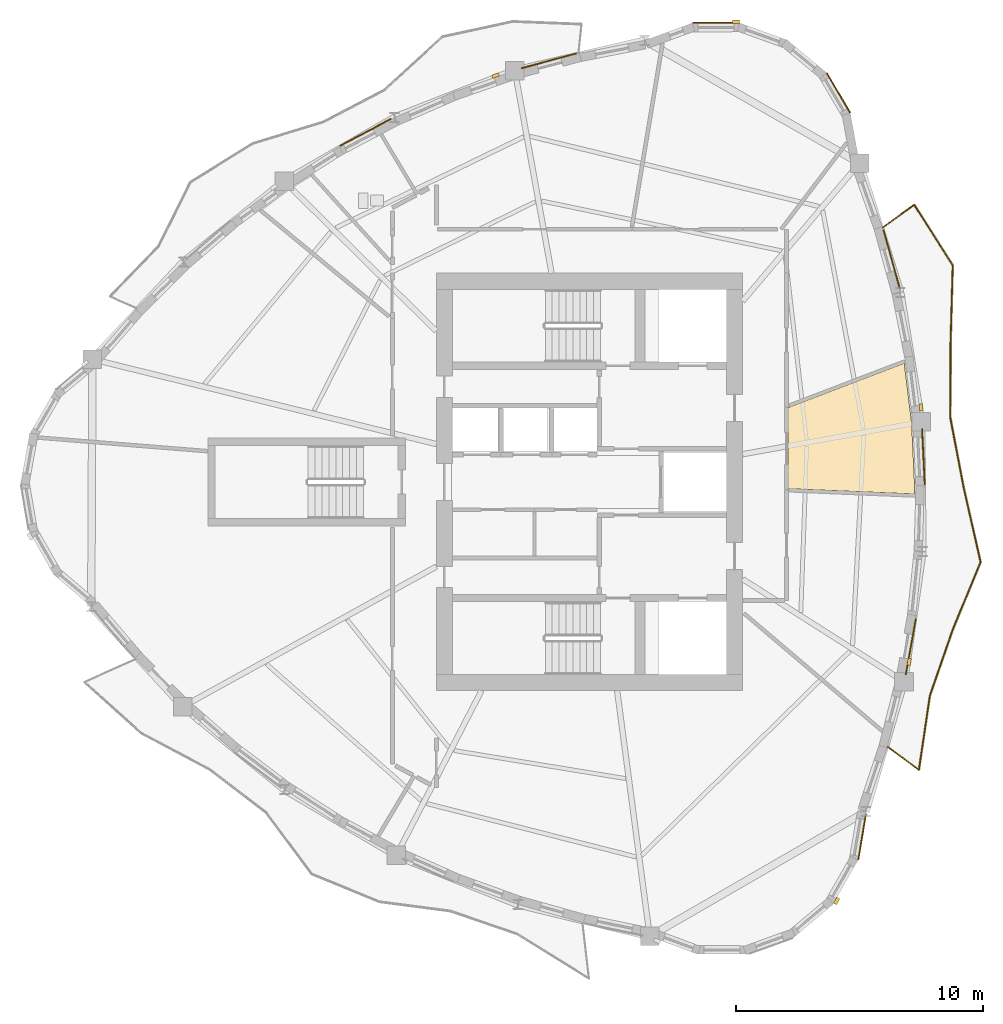
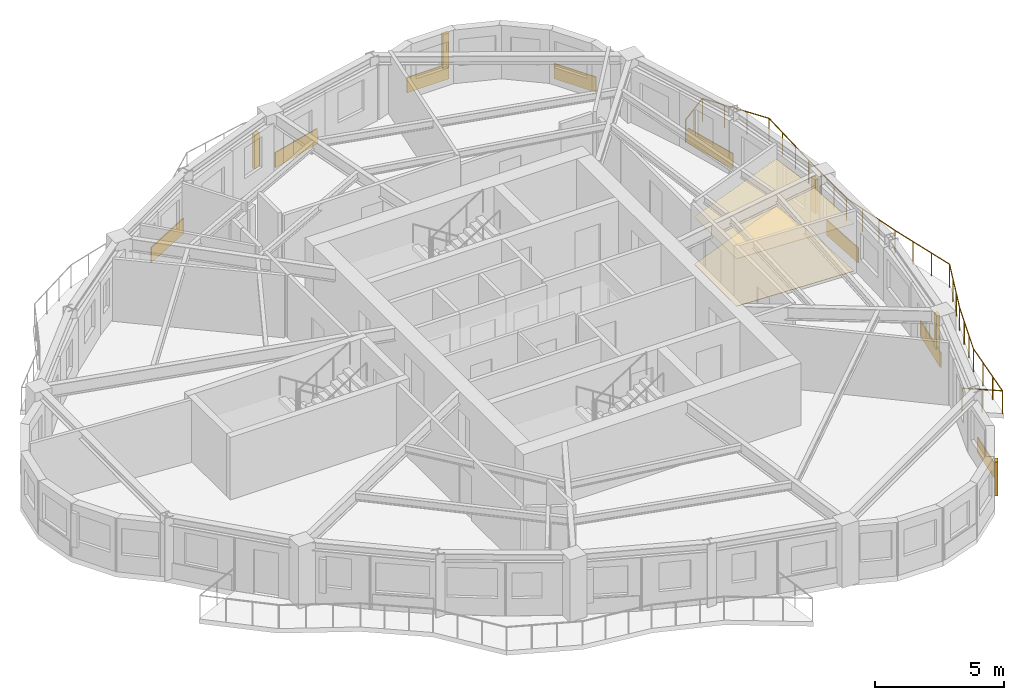
# One storey, part 10 of 11: 10 coverings, 5 shading devices, 1 railing.
"""IFC4 building model written with IfcOpenShell, lengths in metres."""

import ifcopenshell
import ifcopenshell.guid

model = None  # the IFC model being written
_history = None  # IfcOwnerHistory: only IFC2X3 demands one
_inside = {}  # id of a spatial element -> (the spatial element, [elements in it])
_under = {}  # id of a project, library or spatial element -> (it, [spatial elements below it])
_declared = {}  # id of a project -> (the project, [libraries it declares])
_typed = {}  # id of a type object -> (the type object, [elements of that type])
_made_of = {}  # id of a material, layer set ... -> (it, [elements and type objects made of it])


def new_model(schema):
    """Start an empty IFC model of exactly this schema.

    Asked for "IFC4X3", IfcOpenShell would pick the latest addendum, in which some entities
    have other attributes; the version numbers below select the first issue.
    IFC2X3 requires an IfcOwnerHistory on every rooted entity: one is made here for all.
    """
    global model, _history
    if schema == "IFC4X3":
        model = ifcopenshell.file(schema_version=(4, 3, 0, 0))
    else:
        model = ifcopenshell.file(schema=schema)
    _inside.clear()
    _under.clear()
    _declared.clear()
    _typed.clear()
    _made_of.clear()
    _history = None
    if model.schema == "IFC2X3":
        org = make("IfcOrganization", Name="unknown")
        user = make(
            "IfcPersonAndOrganization",
            ThePerson=make("IfcPerson", FamilyName="unknown"),
            TheOrganization=org,
        )
        app = make(
            "IfcApplication",
            ApplicationDeveloper=org,
            Version="unknown",
            ApplicationFullName="unknown",
            ApplicationIdentifier="unknown",
        )
        _history = make(
            "IfcOwnerHistory",
            OwningUser=user,
            OwningApplication=app,
            ChangeAction="ADDED",
            CreationDate=0,
        )
    return model


def make(cls, **values):
    """One entity of the class cls with the attributes given. An attribute that is None is left unset."""
    return model.create_entity(
        cls, **{name: value for name, value in values.items() if value is not None}
    )


def rooted(cls, **values):
    """An entity with a GlobalId (a new one), such as an element, a storey or a relation."""
    return make(cls, GlobalId=ifcopenshell.guid.new(), OwnerHistory=_history, **values)


def si_unit(unit_type, name, prefix=None):
    """IfcSIUnit, for example si_unit("LENGTHUNIT", "METRE", prefix="MILLI")."""
    return make("IfcSIUnit", UnitType=unit_type, Prefix=prefix, Name=name)


def assignment(units):
    """IfcUnitAssignment: the units of a project."""
    return None if units is None else make("IfcUnitAssignment", Units=units)


def point(xyz):
    """IfcCartesianPoint."""
    return None if xyz is None else make("IfcCartesianPoint", Coordinates=xyz)


def direction(xyz):
    """IfcDirection."""
    return None if xyz is None else make("IfcDirection", DirectionRatios=xyz)


def frame(location, z_axis=None, x_axis=None):
    """IfcAxis2Placement3D, a coordinate frame: its origin and axes. An axis left out is left unset."""
    return make(
        "IfcAxis2Placement3D",
        Location=point(location),
        Axis=direction(z_axis),
        RefDirection=direction(x_axis),
    )


def frame_2d(location, x_axis=None):
    """IfcAxis2Placement2D, a coordinate frame in the plane: its origin and x axis."""
    return make(
        "IfcAxis2Placement2D", Location=point(location), RefDirection=direction(x_axis)
    )


def origin():
    """The frame at (0, 0, 0) with its axes left unset."""
    return frame((0.0, 0.0, 0.0))


def origin_2d():
    """The frame at (0, 0) in the plane with its x axis left unset."""
    return frame_2d((0.0, 0.0))


def place(relative_to, where):
    """IfcLocalPlacement: puts the frame where relative to a parent placement (None: the world)."""
    return make(
        "IfcLocalPlacement", PlacementRelTo=relative_to, RelativePlacement=where
    )


def context(
    kind, dimensions, precision=None, world=None, true_north=None, identifier=None
):
    """IfcGeometricRepresentationContext, for example the 3D "Model" context."""
    return make(
        "IfcGeometricRepresentationContext",
        ContextIdentifier=identifier,
        ContextType=kind,
        CoordinateSpaceDimension=dimensions,
        Precision=precision,
        WorldCoordinateSystem=world,
        TrueNorth=true_north,
    )


def subcontext(parent, identifier, kind, view, scale=None):
    """IfcGeometricRepresentationSubContext, for example "Body" below "Model"."""
    return make(
        "IfcGeometricRepresentationSubContext",
        ContextIdentifier=identifier,
        ContextType=kind,
        ParentContext=parent,
        TargetScale=scale,
        TargetView=view,
    )


def project(units=None, contexts=None):
    """IfcProject with its units and contexts."""
    return rooted(
        "IfcProject",
        Name="project",
        RepresentationContexts=contexts,
        UnitsInContext=assignment(units),
    )


def spatial(cls, under=None, at=None, **own):
    """A site, building, storey or space (cls), placed at a placement, below another one or the project."""
    s = rooted(cls, ObjectPlacement=at, **own)
    if under is not None:
        _under.setdefault(under.id(), (under, []))[1].append(s)
    return s


def polyline(points):
    """IfcPolyline through the points."""
    return make("IfcPolyline", Points=[point(p) for p in points])


def profile(cls, at=None, kind="AREA", **sizes):
    """A parametric profile (cls). Its sizes go by their IFC names, for example OverallWidth=200.0."""
    return make(cls, ProfileType=kind, Position=at, **sizes)


def rectangle(**sizes):
    """IfcRectangleProfileDef."""
    return profile("IfcRectangleProfileDef", **sizes)


def circle(**sizes):
    """IfcCircleProfileDef."""
    return profile("IfcCircleProfileDef", **sizes)


def outline(outer, holes=None, kind="AREA"):
    """IfcArbitraryClosedProfileDef: a profile drawn as a closed curve; with holes, ...WithVoids."""
    if holes is None:
        return make("IfcArbitraryClosedProfileDef", ProfileType=kind, OuterCurve=outer)
    return make(
        "IfcArbitraryProfileDefWithVoids",
        ProfileType=kind,
        OuterCurve=outer,
        InnerCurves=holes,
    )


def extrude(swept, where, along, depth):
    """IfcExtrudedAreaSolid: the profile swept, set in the frame where, extruded along a direction by depth."""
    return make(
        "IfcExtrudedAreaSolid",
        SweptArea=swept,
        Position=where,
        ExtrudedDirection=direction(along),
        Depth=depth,
    )


def shape(context_of_items, identifier, shape_type, items):
    """IfcShapeRepresentation: the items that make up one representation, for example the "Body"."""
    return make(
        "IfcShapeRepresentation",
        ContextOfItems=context_of_items,
        RepresentationIdentifier=identifier,
        RepresentationType=shape_type,
        Items=items,
    )


def source(mapping_origin, context_of_items, identifier, shape_type, items):
    """IfcRepresentationMap: a shape defined once, which mapped items show again and again."""
    return make(
        "IfcRepresentationMap",
        MappingOrigin=mapping_origin,
        MappedRepresentation=shape(context_of_items, identifier, shape_type, items),
    )


def transform(
    local_origin,
    x_axis=None,
    y_axis=None,
    z_axis=None,
    scale=None,
    scale2=None,
    scale3=None,
    uniform=True,
):
    """IfcCartesianTransformationOperator3D, or its non-uniform kind. x_axis, y_axis, z_axis: its Axis1, 2, 3."""
    if uniform:
        return make(
            "IfcCartesianTransformationOperator3D",
            Axis1=direction(x_axis),
            Axis2=direction(y_axis),
            LocalOrigin=point(local_origin),
            Scale=scale,
            Axis3=direction(z_axis),
        )
    return make(
        "IfcCartesianTransformationOperator3DnonUniform",
        Axis1=direction(x_axis),
        Axis2=direction(y_axis),
        LocalOrigin=point(local_origin),
        Scale=scale,
        Axis3=direction(z_axis),
        Scale2=scale2,
        Scale3=scale3,
    )


def mapped(mapping_source, mapping_target):
    """IfcMappedItem: shows the shape of a source again, moved by a transform."""
    return make(
        "IfcMappedItem", MappingSource=mapping_source, MappingTarget=mapping_target
    )


def material(Name=None, Category=None):
    """IfcMaterial."""
    return make("IfcMaterial", Name=Name, Category=Category)


def layer(
    of_material, thickness, ventilated=None, Name=None, Category=None, Priority=None
):
    """IfcMaterialLayer: one layer of a wall or slab, of a material (None: an air gap)."""
    return make(
        "IfcMaterialLayer",
        Material=of_material,
        LayerThickness=thickness,
        IsVentilated=ventilated,
        Name=Name,
        Category=Category,
        Priority=Priority,
    )


def layer_set(layers, Name=None):
    """IfcMaterialLayerSet."""
    return make("IfcMaterialLayerSet", MaterialLayers=layers, LayerSetName=Name)


def made_of(thing, what):
    """Note that an element or type object is made of a material, layer set ...; save() writes the relation."""
    if what is not None:
        _made_of.setdefault(what.id(), (what, []))[1].append(thing)
    return thing


def type_object(cls, material=None, **own):
    """A type object (cls), such as IfcWallType, which elements share."""
    return made_of(rooted(cls, **own), material)


def element(
    cls,
    number,
    at=None,
    inside=None,
    cuts=None,
    type_object=None,
    material=None,
    context=None,
    identifier="Body",
    shape_type=None,
    held_by="IfcProductDefinitionShape",
    body=None,
    shapes=None,
    **own,
):
    """One element of the class cls, such as IfcWall. Its Tag is "e" and its number.

    at: its placement. inside: the storey or other place that contains it. cuts: it is an
    opening in that element (IfcRelVoidsElement). A single representation is given by context,
    identifier, shape_type and body (its items); several are given by shapes. held_by: the class
    of the entity that holds the representations. save() writes the other relations.
    """
    e = rooted(cls, Tag="e%d" % number, ObjectPlacement=at, **own)
    if body is not None:
        shapes = [shape(context, identifier, shape_type, body)]
    if shapes is not None:
        e.Representation = make(held_by, Representations=shapes)
    if inside is not None:
        _inside.setdefault(inside.id(), (inside, []))[1].append(e)
    if cuts is not None:
        rooted(
            "IfcRelVoidsElement", RelatingBuildingElement=cuts, RelatedOpeningElement=e
        )
    if type_object is not None:
        _typed.setdefault(type_object.id(), (type_object, []))[1].append(e)
    return made_of(e, material)


def aggregate(whole, parts):
    """IfcRelAggregates: a whole, such as a stair, and the parts it consists of."""
    return rooted("IfcRelAggregates", RelatingObject=whole, RelatedObjects=parts)


def save(model, path):
    """Write the relations noted so far, then the file.

    IfcRelAggregates (storeys below a building ...), IfcRelContainedInSpatialStructure (elements
    in a storey), IfcRelDefinesByType, IfcRelAssociatesMaterial and IfcRelDeclares: one each for
    every whole, place, type object, material and project.
    """
    for whole, parts in _under.values():
        aggregate(whole, parts)
    for where, things in _inside.values():
        rooted(
            "IfcRelContainedInSpatialStructure",
            RelatedElements=things,
            RelatingStructure=where,
        )
    for kind, things in _typed.values():
        rooted("IfcRelDefinesByType", RelatedObjects=things, RelatingType=kind)
    for what, things in _made_of.values():
        rooted("IfcRelAssociatesMaterial", RelatedObjects=things, RelatingMaterial=what)
    for by, libraries in _declared.values():
        rooted("IfcRelDeclares", RelatingContext=by, RelatedDefinitions=libraries)
    model.write(path)


model = new_model("IFC4")

# Units and contexts
model_context = context("Model", 3, precision=1e-05, world=origin(), true_north=direction((0.0, 1.0)))
body_context = subcontext(model_context, "Body", "Model", "MODEL_VIEW")
ifc_project = project(units=[si_unit("LENGTHUNIT", "METRE"), si_unit("AREAUNIT", "SQUARE_METRE"), si_unit("VOLUMEUNIT", "CUBIC_METRE"), si_unit("PLANEANGLEUNIT", "RADIAN"), si_unit("MASSUNIT", "GRAM", prefix="KILO")], contexts=[model_context])

# Site, building, storey
site_placement = place(None, origin())
site = spatial("IfcSite", under=ifc_project, at=site_placement, CompositionType="ELEMENT")
building_placement = place(site_placement, origin())
building = spatial("IfcBuilding", under=site, at=building_placement, Name="Qafzar Sky-Pleat Residences", CompositionType="ELEMENT")
storey_placement = place(building_placement, frame((0.0, 0.0, 165.0)))
storey = spatial("IfcBuildingStorey", under=building, at=storey_placement, Name="L49", CompositionType="ELEMENT", Elevation=165.0)

# Coverings
ifc_material_1 = material(Name="Perforated acoustic gypsum board ceiling")
ifc_layer_1 = layer(ifc_material_1, 0.02001953125)
ifc_layer_set_1 = layer_set([ifc_layer_1], Name="Perforated acoustic gypsum board ceiling")
covering_type_1 = type_object("IfcCoveringType", Name="COV-CEIL-ACOUSTIC", PredefinedType="CEILING", material=ifc_layer_set_1)
covering_1_placement = place(storey_placement, frame((0.0, 0.0, 2.239990234375)))
element("IfcCovering", 1, at=covering_1_placement, inside=storey, type_object=covering_type_1, Name="L49 Co-Living Lounge Acoustic Ceiling", PredefinedType="CEILING", context=body_context, shape_type="SweptSolid", body=[
    extrude(outline(polyline([(43.39111328125, 28.3955078125), (43.514892578125, 25.800537109375), (43.506591796875, 25.512451171875), (38.389892578125, 25.7255859375), (38.389892578125, 29.00830078125), (43.092529296875, 30.805419921875), (43.39111328125, 28.3955078125)])), origin(), (0.0, 0.0, 1.0), 0.02001953125),
])
ifc_material_2 = material(Name="Honed porcelain and Riyadh stone tile flooring", Category="masonry")
ifc_layer_2 = layer(ifc_material_2, 0.02001953125)
ifc_layer_set_2 = layer_set([ifc_layer_2], Name="Honed porcelain and Riyadh stone tile flooring")
covering_type_2 = type_object("IfcCoveringType", Name="COV-FLR-PORCELAIN", PredefinedType="FLOORING", material=ifc_layer_set_2)
covering_2_placement = place(storey_placement, origin())
element("IfcCovering", 2, at=covering_2_placement, inside=storey, type_object=covering_type_2, Name="L49 Co-Living Lounge Honed Stone Flooring", PredefinedType="FLOORING", context=body_context, shape_type="SweptSolid", body=[
    extrude(outline(polyline([(43.39111328125, 28.3955078125), (43.514892578125, 25.800537109375), (43.506591796875, 25.512451171875), (38.389892578125, 25.7255859375), (38.389892578125, 29.00830078125), (43.092529296875, 30.805419921875), (43.39111328125, 28.3955078125)])), origin(), (0.0, 0.0, 1.0), 0.02001953125),
])

# Shading devices
ifc_material_3 = material(Name="Honed Riyadh limestone solar fin", Category="masonry")
ifc_layer_3 = layer(ifc_material_3, 0.139892578125)
ifc_layer_set_3 = layer_set([ifc_layer_3], Name="Honed Riyadh limestone solar fin")
shading_device_type = type_object("IfcShadingDeviceType", Name="SHD-FIN-STONE", PredefinedType="SHUTTER", material=ifc_layer_set_3)
shared_shape_1 = source(origin(), body_context, "Body", "SweptSolid", [
    extrude(rectangle(XDim=0.139892578125, YDim=0.280029296875, at=origin_2d()), origin(), (0.0, 0.0, 1.0), 1.60009765625),
])
for number, where, z_axis, x_axis, name in (
    (3, (40.3544921875, 9.034423828125, 0.599853515625), (0.0, 0.0, 1.0), (0.86842169793, -0.495826335086, 0.0), "L49 Limestone Solar Fin 21"),
    (4, (43.293212890625, 18.7177734375, 0.599853515625), (0.0, 0.0, 1.0), (0.9841868466, -0.177133427054, 0.0), "L49 Limestone Solar Fin 25"),
    (5, (43.771484375, 29.024658203125, 0.599853515625), (0.0, 0.0, 1.0), (0.992422165259, 0.122874919748, 0.0), "L49 Limestone Solar Fin 29"),
    (6, (36.27490234375, 44.630859375, 0.599853515625), (0.0, 0.0, 1.0), (-0.002393888715, 0.999997134644, 0.0), "L49 Limestone Solar Fin 37"),
    (7, (26.55126953125, 42.44970703125, 0.599853515625), (0.0, 0.0, 1.0), (-0.329555216315, 0.944136303401, 0.0), "L49 Limestone Solar Fin 41"),
):
    element("IfcShadingDevice", number, at=place(storey_placement, frame(where, z_axis=z_axis, x_axis=x_axis)), inside=storey, type_object=shading_device_type, Name=name, PredefinedType="SHUTTER", context=body_context, shape_type="MappedRepresentation", body=[
        mapped(shared_shape_1, transform((0.0, 0.0, 0.0), x_axis=(1.0, 0.0, 0.0), y_axis=(0.0, 1.0, 0.0), z_axis=(0.0, 0.0, 1.0), scale=1.0)),
    ])

# Coverings
ifc_material_4 = material(Name="Honed Riyadh Tuwaiq limestone cladding", Category="masonry")
ifc_layer_4 = layer(ifc_material_4, 0.044921875)
ifc_layer_set_4 = layer_set([ifc_layer_4], Name="Honed Riyadh Tuwaiq limestone cladding")
covering_type_3 = type_object("IfcCoveringType", Name="COV-CLAD-STONE", PredefinedType="CLADDING", material=ifc_layer_set_4)
shared_shape_2 = source(origin(), body_context, "Body", "SweptSolid", [
    extrude(rectangle(XDim=1.873046875, YDim=0.044921875, at=origin_2d()), origin(), (0.0, 0.0, 1.0), 0.719970703125),
])
covering_3_placement = place(storey_placement, frame((35.47021484375, 44.5859375, 0.02001953125), z_axis=(0.0, 0.0, 1.0), x_axis=(-0.999997113828, -0.002402568631, 0.0)))
element("IfcCovering", 8, at=covering_3_placement, inside=storey, type_object=covering_type_3, Name="L49 Riyadh Limestone Spandrel Cladding 37", PredefinedType="CLADDING", context=body_context, shape_type="MappedRepresentation", body=[
    mapped(shared_shape_2, transform((0.0, 0.0, 0.0), x_axis=(1.0, 0.0, 0.0), y_axis=(0.0, 1.0, 0.0), z_axis=(0.0, 0.0, 1.0), scale=1.0)),
])
shared_shape_3 = source(origin(), body_context, "Body", "SweptSolid", [
    extrude(rectangle(XDim=2.298828125, YDim=0.044921875, at=origin_2d()), origin(), (0.0, 0.0, 1.0), 0.719970703125),
])
covering_4_placement = place(storey_placement, frame((28.705078125, 43.04638671875, 0.02001953125), z_axis=(0.0, 0.0, 1.0), x_axis=(-0.965460603463, -0.260549080139, 0.0)))
element("IfcCovering", 9, at=covering_4_placement, inside=storey, type_object=covering_type_3, Name="L49 Riyadh Limestone Spandrel Cladding 40", PredefinedType="CLADDING", context=body_context, shape_type="MappedRepresentation", body=[
    mapped(shared_shape_3, transform((0.0, 0.0, 0.0), x_axis=(1.0, 0.0, 0.0), y_axis=(0.0, 1.0, 0.0), z_axis=(0.0, 0.0, 1.0), scale=1.0)),
])
shared_shape_4 = source(origin(), body_context, "Body", "SweptSolid", [
    extrude(rectangle(XDim=1.845703125, YDim=0.044921875, at=origin_2d()), origin(), (0.0, 0.0, 1.0), 0.719970703125),
])
covering_5_placement = place(storey_placement, frame((41.386474609375, 11.618408203125, 0.02001953125), z_axis=(0.0, 0.0, 1.0), x_axis=(0.165648245081, 0.98618490097, 0.0)))
element("IfcCovering", 10, at=covering_5_placement, inside=storey, type_object=covering_type_3, Name="L49 Riyadh Limestone Spandrel Cladding 22", PredefinedType="CLADDING", context=body_context, shape_type="MappedRepresentation", body=[
    mapped(shared_shape_4, transform((0.0, 0.0, 0.0), x_axis=(1.0, 0.0, 0.0), y_axis=(0.0, 1.0, 0.0), z_axis=(0.0, 0.0, 1.0), scale=1.0)),
])
shared_shape_5 = source(origin(), body_context, "Body", "SweptSolid", [
    extrude(rectangle(XDim=2.300048828125, YDim=0.044921875, at=origin_2d()), origin(), (0.0, 0.0, 1.0), 0.719970703125),
])
covering_6_placement = place(storey_placement, frame((43.35888671875, 19.32568359375, 0.02001953125), z_axis=(0.0, 0.0, 1.0), x_axis=(0.177146175774, 0.984184552007, 0.0)))
element("IfcCovering", 11, at=covering_6_placement, inside=storey, type_object=covering_type_3, Name="L49 Riyadh Limestone Spandrel Cladding 25", PredefinedType="CLADDING", context=body_context, shape_type="MappedRepresentation", body=[
    mapped(shared_shape_5, transform((0.0, 0.0, 0.0), x_axis=(1.0, 0.0, 0.0), y_axis=(0.0, 1.0, 0.0), z_axis=(0.0, 0.0, 1.0), scale=1.0)),
])
shared_shape_6 = source(origin(), body_context, "Body", "SweptSolid", [
    extrude(rectangle(XDim=2.259521484375, YDim=0.044921875, at=origin_2d()), origin(), (0.0, 0.0, 1.0), 0.719970703125),
])
covering_7_placement = place(storey_placement, frame((43.868896484375, 27.021240234375, 0.02001953125), z_axis=(0.0, 0.0, 1.0), x_axis=(-0.04763895546, 0.998864620418, 0.0)))
element("IfcCovering", 12, at=covering_7_placement, inside=storey, type_object=covering_type_3, Name="L49 Riyadh Limestone Spandrel Cladding 28", PredefinedType="CLADDING", context=body_context, shape_type="MappedRepresentation", body=[
    mapped(shared_shape_6, transform((0.0, 0.0, 0.0), x_axis=(1.0, 0.0, 0.0), y_axis=(0.0, 1.0, 0.0), z_axis=(0.0, 0.0, 1.0), scale=1.0)),
])
shared_shape_7 = source(origin(), body_context, "Body", "SweptSolid", [
    extrude(rectangle(XDim=2.46142578125, YDim=0.044921875, at=origin_2d()), origin(), (0.0, 0.0, 1.0), 0.719970703125),
])
covering_8_placement = place(storey_placement, frame((42.58251953125, 35.01513671875, 0.02001953125), z_axis=(0.0, 0.0, 1.0), x_axis=(-0.266414049308, 0.963858679647, 0.0)))
element("IfcCovering", 13, at=covering_8_placement, inside=storey, type_object=covering_type_3, Name="L49 Riyadh Limestone Spandrel Cladding 31", PredefinedType="CLADDING", context=body_context, shape_type="MappedRepresentation", body=[
    mapped(shared_shape_7, transform((0.0, 0.0, 0.0), x_axis=(1.0, 0.0, 0.0), y_axis=(0.0, 1.0, 0.0), z_axis=(0.0, 0.0, 1.0), scale=1.0)),
])
shared_shape_8 = source(origin(), body_context, "Body", "SweptSolid", [
    extrude(rectangle(XDim=1.872802734375, YDim=0.044921875, at=origin_2d()), origin(), (0.0, 0.0, 1.0), 0.719970703125),
])
covering_9_placement = place(storey_placement, frame((40.429443359375, 41.754638671875, 0.02001953125), z_axis=(0.0, 0.0, 1.0), x_axis=(-0.506253402347, 0.862384770629, 0.0)))
element("IfcCovering", 14, at=covering_9_placement, inside=storey, type_object=covering_type_3, Name="L49 Riyadh Limestone Spandrel Cladding 34", PredefinedType="CLADDING", context=body_context, shape_type="MappedRepresentation", body=[
    mapped(shared_shape_8, transform((0.0, 0.0, 0.0), x_axis=(1.0, 0.0, 0.0), y_axis=(0.0, 1.0, 0.0), z_axis=(0.0, 0.0, 1.0), scale=1.0)),
])
shared_shape_9 = source(origin(), body_context, "Body", "SweptSolid", [
    extrude(rectangle(XDim=2.341064453125, YDim=0.044921875, at=origin_2d()), origin(), (0.0, 0.0, 1.0), 0.719970703125),
])
covering_10_placement = place(storey_placement, frame((21.28662109375, 40.1533203125, 0.02001953125), z_axis=(0.0, 0.0, 1.0), x_axis=(-0.884401502597, -0.466726881811, 0.0)))
element("IfcCovering", 15, at=covering_10_placement, inside=storey, type_object=covering_type_3, Name="L49 Riyadh Limestone Spandrel Cladding 43", PredefinedType="CLADDING", context=body_context, shape_type="MappedRepresentation", body=[
    mapped(shared_shape_9, transform((0.0, 0.0, 0.0), x_axis=(1.0, 0.0, 0.0), y_axis=(0.0, 1.0, 0.0), z_axis=(0.0, 0.0, 1.0), scale=1.0)),
])

# Railing
ifc_material_5 = material(Name="Laminated glass and bronze steel balustrade", Category="steel")
railing_type = type_object("IfcRailingType", Name="RAIL-BAL-1100", PredefinedType="BALUSTRADE", material=ifc_material_5)
shared_shape_10 = source(origin(), body_context, "Body", "SweptSolid", [
    extrude(circle(Radius=0.02392578125, at=origin_2d()), frame((0.0, 0.0, 1.076171875), z_axis=(0.80253641992, -0.596603129981, 0.0), x_axis=(0.596603129981, 0.80253641992, 0.0)), (0.0, 0.0, 1.0), 1.577880859375),
    extrude(circle(Radius=0.02392578125, at=origin_2d()), frame((1.266357421875, -0.94140625, 1.076171875), z_axis=(0.146090518428, 0.989271226927, 0.0), x_axis=(-0.989271226927, 0.146090518428, 0.0)), (0.0, 0.0, 1.0), 3.051513671875),
    extrude(circle(Radius=0.02392578125, at=origin_2d()), frame((1.712158203125, 2.077392578125, 1.076171875), z_axis=(0.327752218327, 0.944763718282, 0.0), x_axis=(-0.944763718282, 0.327752218327, 0.0)), (0.0, 0.0, 1.0), 2.822509765625),
    extrude(circle(Radius=0.02392578125, at=origin_2d()), frame((2.63720703125, 4.743896484375, 1.076171875), z_axis=(0.380807932155, 0.924654161732, 0.0), x_axis=(-0.924654161732, 0.380807932155, 0.0)), (0.0, 0.0, 1.0), 2.95751953125),
    extrude(circle(Radius=0.02392578125, at=origin_2d()), frame((3.763427734375, 7.478515625, 1.076171875), z_axis=(-0.221899881671, 0.975069455226, 0.0), x_axis=(-0.975069455226, -0.221899881671, 0.0)), (0.0, 0.0, 1.0), 3.103759765625),
    extrude(circle(Radius=0.02392578125, at=origin_2d()), frame((3.07470703125, 10.5048828125, 1.076171875), z_axis=(-0.187342240834, 0.98229470364, 0.0), x_axis=(-0.98229470364, -0.187342240834, 0.0)), (0.0, 0.0, 1.0), 2.876220703125),
    extrude(circle(Radius=0.02392578125, at=origin_2d()), frame((2.535888671875, 13.330078125, 1.076171875), z_axis=(0.003576455543, 0.999993604462, 0.0), x_axis=(-0.999993604462, 0.003576455543, 0.0)), (0.0, 0.0, 1.0), 2.935302734375),
    extrude(circle(Radius=0.02392578125, at=origin_2d()), frame((2.54638671875, 16.265380859375, 1.076171875), z_axis=(0.027975394604, 0.999608612056, 0.0), x_axis=(-0.999608612056, 0.027975394604, 0.0)), (0.0, 0.0, 1.0), 3.22021484375),
    extrude(circle(Radius=0.02392578125, at=origin_2d()), frame((2.636474609375, 19.484375, 1.076171875), z_axis=(-0.536192049127, 0.844096017319, 0.0), x_axis=(-0.844096017319, -0.536192049127, 0.0)), (0.0, 0.0, 1.0), 2.9130859375),
    extrude(circle(Radius=0.02392578125, at=origin_2d()), frame((1.074462890625, 21.943359375, 1.076171875), z_axis=(-0.809805240955, -0.586698791307, 0.0), x_axis=(0.586698791307, -0.809805240955, 0.0)), (0.0, 0.0, 1.0), 1.577880859375),
    extrude(circle(Radius=0.02099609375, at=origin_2d()), origin(), (0.0, 0.0, 1.0), 1.052001953125),
    extrude(circle(Radius=0.02099609375, at=origin_2d()), frame((0.63330078125, -0.470703125, 0.0)), (0.0, 0.0, 1.0), 1.052001953125),
    extrude(circle(Radius=0.02099609375, at=origin_2d()), frame((1.266357421875, -0.94140625, 0.0)), (0.0, 0.0, 1.0), 1.052001953125),
    extrude(circle(Radius=0.02099609375, at=origin_2d()), frame((1.4150390625, 0.06494140625, 0.0)), (0.0, 0.0, 1.0), 1.052001953125),
    extrude(circle(Radius=0.02099609375, at=origin_2d()), frame((1.5634765625, 1.071044921875, 0.0)), (0.0, 0.0, 1.0), 1.052001953125),
    extrude(circle(Radius=0.02099609375, at=origin_2d()), frame((1.712158203125, 2.077392578125, 0.0)), (0.0, 0.0, 1.0), 1.052001953125),
    extrude(circle(Radius=0.02099609375, at=origin_2d()), frame((2.0205078125, 2.96630859375, 0.0)), (0.0, 0.0, 1.0), 1.052001953125),
    extrude(circle(Radius=0.02099609375, at=origin_2d()), frame((2.328857421875, 3.85498046875, 0.0)), (0.0, 0.0, 1.0), 1.052001953125),
    extrude(circle(Radius=0.02099609375, at=origin_2d()), frame((2.63720703125, 4.743896484375, 0.0)), (0.0, 0.0, 1.0), 1.052001953125),
    extrude(circle(Radius=0.02099609375, at=origin_2d()), frame((3.0126953125, 5.655517578125, 0.0)), (0.0, 0.0, 1.0), 1.052001953125),
    extrude(circle(Radius=0.02099609375, at=origin_2d()), frame((3.387939453125, 6.56689453125, 0.0)), (0.0, 0.0, 1.0), 1.052001953125),
    extrude(circle(Radius=0.02099609375, at=origin_2d()), frame((3.763427734375, 7.478515625, 0.0)), (0.0, 0.0, 1.0), 1.052001953125),
    extrude(circle(Radius=0.02099609375, at=origin_2d()), frame((3.533935546875, 8.4873046875, 0.0)), (0.0, 0.0, 1.0), 1.052001953125),
    extrude(circle(Radius=0.02099609375, at=origin_2d()), frame((3.30419921875, 9.49609375, 0.0)), (0.0, 0.0, 1.0), 1.052001953125),
    extrude(circle(Radius=0.02099609375, at=origin_2d()), frame((3.07470703125, 10.5048828125, 0.0)), (0.0, 0.0, 1.0), 1.052001953125),
    extrude(circle(Radius=0.02099609375, at=origin_2d()), frame((2.89501953125, 11.446533203125, 0.0)), (0.0, 0.0, 1.0), 1.052001953125),
    extrude(circle(Radius=0.02099609375, at=origin_2d()), frame((2.715576171875, 12.388427734375, 0.0)), (0.0, 0.0, 1.0), 1.052001953125),
    extrude(circle(Radius=0.02099609375, at=origin_2d()), frame((2.535888671875, 13.330078125, 0.0)), (0.0, 0.0, 1.0), 1.052001953125),
    extrude(circle(Radius=0.02099609375, at=origin_2d()), frame((2.539306640625, 14.30859375, 0.0)), (0.0, 0.0, 1.0), 1.052001953125),
    extrude(circle(Radius=0.02099609375, at=origin_2d()), frame((2.54296875, 15.286865234375, 0.0)), (0.0, 0.0, 1.0), 1.052001953125),
    extrude(circle(Radius=0.02099609375, at=origin_2d()), frame((2.54638671875, 16.265380859375, 0.0)), (0.0, 0.0, 1.0), 1.052001953125),
    extrude(circle(Radius=0.02099609375, at=origin_2d()), frame((2.576416015625, 17.33837890625, 0.0)), (0.0, 0.0, 1.0), 1.052001953125),
    extrude(circle(Radius=0.02099609375, at=origin_2d()), frame((2.6064453125, 18.411376953125, 0.0)), (0.0, 0.0, 1.0), 1.052001953125),
    extrude(circle(Radius=0.02099609375, at=origin_2d()), frame((2.636474609375, 19.484375, 0.0)), (0.0, 0.0, 1.0), 1.052001953125),
    extrude(circle(Radius=0.02099609375, at=origin_2d()), frame((2.11572265625, 20.303955078125, 0.0)), (0.0, 0.0, 1.0), 1.052001953125),
    extrude(circle(Radius=0.02099609375, at=origin_2d()), frame((1.59521484375, 21.123779296875, 0.0)), (0.0, 0.0, 1.0), 1.052001953125),
    extrude(circle(Radius=0.02099609375, at=origin_2d()), frame((1.074462890625, 21.943359375, 0.0)), (0.0, 0.0, 1.0), 1.052001953125),
    extrude(circle(Radius=0.02099609375, at=origin_2d()), frame((0.435546875, 21.48046875, 0.0)), (0.0, 0.0, 1.0), 1.052001953125),
    extrude(circle(Radius=0.02099609375, at=origin_2d()), frame((-0.203369140625, 21.017578125, 0.0)), (0.0, 0.0, 1.0), 1.052001953125),
])
railing_placement = place(storey_placement, frame((42.420166015625, 15.280029296875, 0.0)))
element("IfcRailing", 16, at=railing_placement, inside=storey, type_object=railing_type, Name="L49 Pleated Balcony 1 Balustrade", PredefinedType="BALUSTRADE", context=body_context, shape_type="MappedRepresentation", body=[
    mapped(shared_shape_10, transform((0.0, 0.0, 0.0), x_axis=(1.0, 0.0, 0.0), y_axis=(0.0, 1.0, 0.0), z_axis=(0.0, 0.0, 1.0), scale=1.0)),
])

save(model, "model.ifc")
